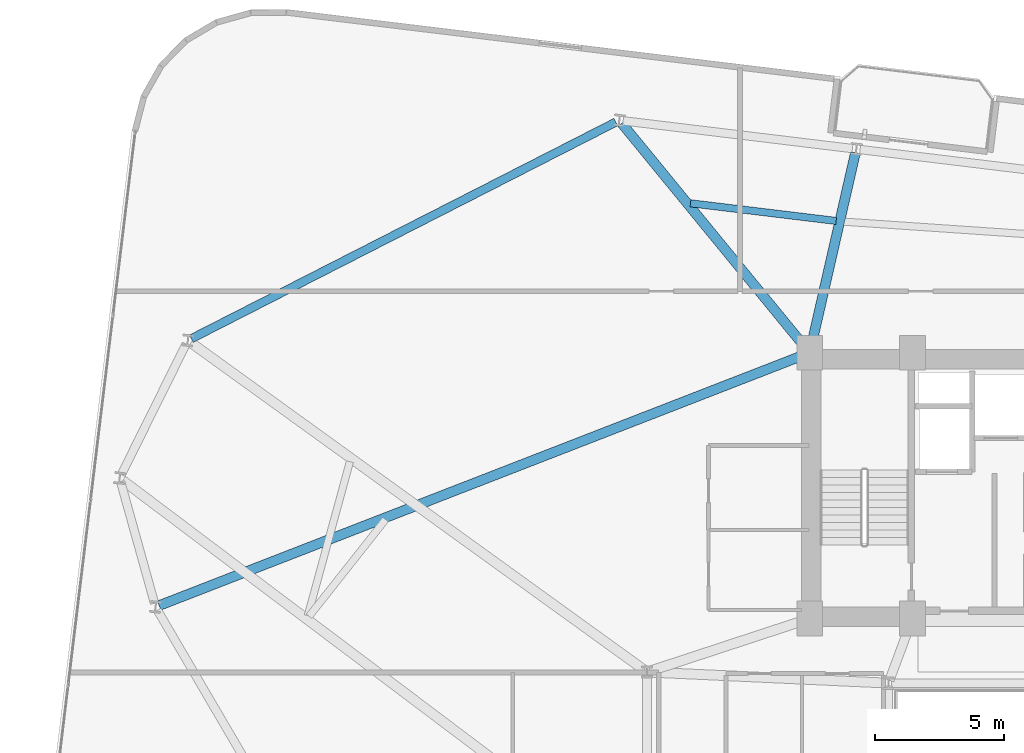
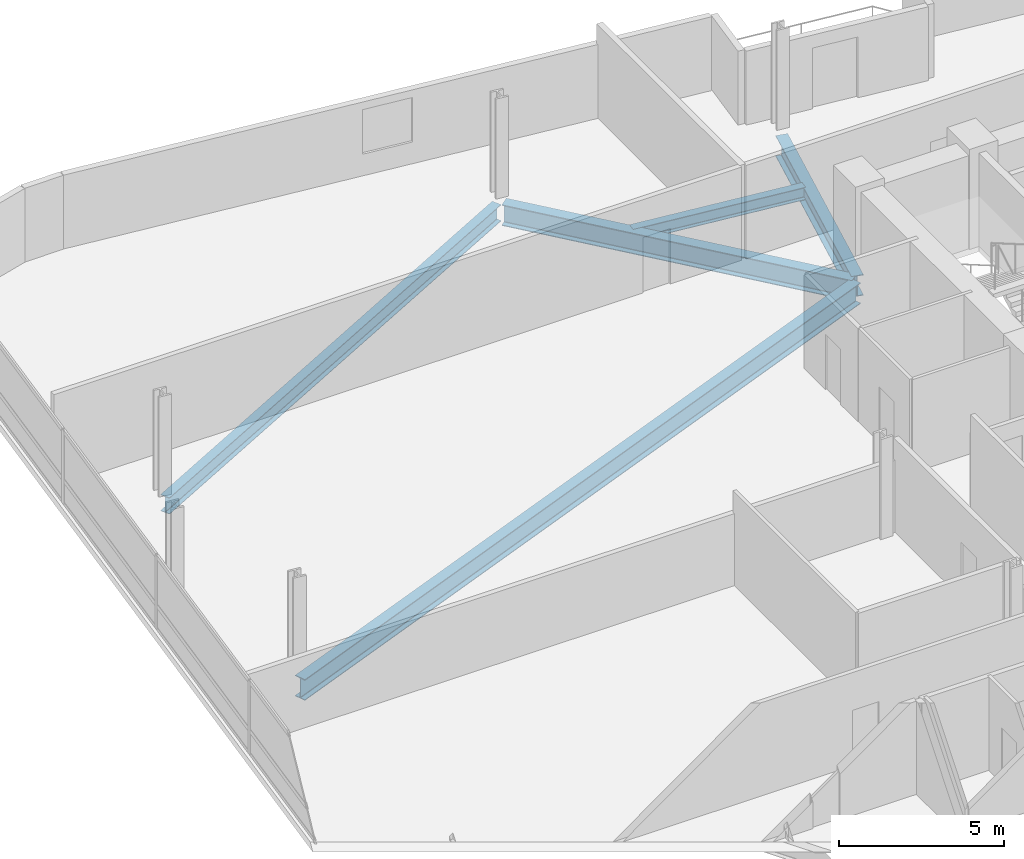
# One storey, part 11 of 25: 5 beams.
"""IFC4 building model written with IfcOpenShell, lengths in metres."""

from ifc_helpers import new_model, si_unit, direction, frame, origin, origin_2d, place, context, subcontext, project, spatial, i_section, extrude, material, material_profile, profile_set, type_object, element, save


model = new_model("IFC4")

# Units and contexts
model_context = context("Model", 3, precision=1e-05, world=origin(), true_north=direction((0.0, 1.0)))
body_context = subcontext(model_context, "Body", "Model", "MODEL_VIEW")
ifc_project = project(units=[si_unit("LENGTHUNIT", "METRE"), si_unit("AREAUNIT", "SQUARE_METRE"), si_unit("VOLUMEUNIT", "CUBIC_METRE"), si_unit("PLANEANGLEUNIT", "RADIAN"), si_unit("MASSUNIT", "GRAM", prefix="KILO")], contexts=[model_context])

# Site, building, storey
site_placement = place(None, origin())
site = spatial("IfcSite", under=ifc_project, at=site_placement, CompositionType="ELEMENT")
building_placement = place(site_placement, origin())
building = spatial("IfcBuilding", under=site, at=building_placement, Name="Varnelok Gate Tower", CompositionType="ELEMENT")
storey_placement = place(building_placement, frame((0.0, 0.0, 140.199951171875)))
storey = spatial("IfcBuildingStorey", under=building, at=storey_placement, Name="L35", CompositionType="ELEMENT", Elevation=140.199951171875)

# Beams
ifc_material = material(Name="Structural Steel ASTM A992 Grade 50", Category="steel")
ifc_material_profile_1 = material_profile(ifc_material, i_section(OverallWidth=0.280029296875, OverallDepth=0.462890625, WebThickness=0.0107421875, FlangeThickness=0.017333984375, FilletRadius=0.014892578125, at=origin_2d()), Name="W18X76")
ifc_profile_set_1 = profile_set([ifc_material_profile_1], Name="Structural Steel ASTM A992 Grade 50")
beam_type_1 = type_object("IfcBeamType", Name="BM-JST-W18X76", PredefinedType="JOIST", material=ifc_profile_set_1)
beam_1_placement = place(storey_placement, frame((31.725830078125, 44.15771484375, -0.4814453125), z_axis=(-0.992732072323, 0.12034547179, 0.0), x_axis=(-0.12034547179, -0.992732072323, 0.0)))
element("IfcBeam", 1, at=beam_1_placement, inside=storey, type_object=beam_type_1, Name="L35 Sector Floor Joist 10", PredefinedType="JOIST", context=body_context, shape_type="SweptSolid", body=[
    extrude(i_section(OverallWidth=0.280029296875, OverallDepth=0.462890625, WebThickness=0.0107421875, FlangeThickness=0.017333984375, FilletRadius=0.014892578125, at=origin_2d()), origin(), (0.0, 0.0, 1.0), 5.686279296875),
])
ifc_material_profile_2 = material_profile(ifc_material, i_section(OverallWidth=0.381103515625, OverallDepth=0.77294921875, WebThickness=0.0166015625, FlangeThickness=0.027099609375, FilletRadius=0.02197265625, at=origin_2d()), Name="W30X173")
ifc_profile_set_2 = profile_set([ifc_material_profile_2], Name="Structural Steel ASTM A992 Grade 50")
beam_type_2 = type_object("IfcBeamType", Name="BM-PRI-W30X173", PredefinedType="BEAM", material=ifc_profile_set_2)
beam_2_placement = place(storey_placement, frame((30.7333984375, 39.1962890625, -0.636474609375), z_axis=(0.223043307507, 0.974808536573, 0.0), x_axis=(-0.974808536573, 0.223043307507, 0.0)))
element("IfcBeam", 2, at=beam_2_placement, inside=storey, type_object=beam_type_2, Name="L35 Radial Floor Girder 12", PredefinedType="BEAM", context=body_context, shape_type="SweptSolid", body=[
    extrude(i_section(OverallWidth=0.381103515625, OverallDepth=0.77294921875, WebThickness=0.0166015625, FlangeThickness=0.027099609375, FilletRadius=0.02197265625, at=origin_2d()), origin(), (0.0, 0.0, 1.0), 7.796875),
])
beam_3_placement = place(storey_placement, frame((30.60498046875, 39.166015625, -0.636474609375), z_axis=(-0.633655000371, 0.773615757663, 0.0), x_axis=(-0.773615757663, -0.633655000371, 0.0)))
element("IfcBeam", 3, at=beam_3_placement, inside=storey, type_object=beam_type_2, Name="L35 Radial Floor Girder 13", PredefinedType="BEAM", context=body_context, shape_type="SweptSolid", body=[
    extrude(i_section(OverallWidth=0.381103515625, OverallDepth=0.77294921875, WebThickness=0.0166015625, FlangeThickness=0.027099609375, FilletRadius=0.02197265625, at=origin_2d()), origin(), (0.0, 0.0, 1.0), 11.341796875),
])
beam_4_placement = place(storey_placement, frame((30.560302734375, 38.99560546875, -0.636474609375), z_axis=(-0.93209869119, -0.362204403454, 0.0), x_axis=(0.362204403454, -0.93209869119, 0.0)))
element("IfcBeam", 4, at=beam_4_placement, inside=storey, type_object=beam_type_2, Name="L35 Radial Floor Girder 16", PredefinedType="BEAM", context=body_context, shape_type="SweptSolid", body=[
    extrude(i_section(OverallWidth=0.381103515625, OverallDepth=0.77294921875, WebThickness=0.0166015625, FlangeThickness=0.027099609375, FilletRadius=0.02197265625, at=origin_2d()), origin(), (0.0, 0.0, 1.0), 26.890869140625),
])
ifc_material_profile_3 = material_profile(ifc_material, i_section(OverallWidth=0.323974609375, OverallDepth=0.611083984375, WebThickness=0.0126953125, FlangeThickness=0.01904296875, FilletRadius=0.01806640625, at=origin_2d()), Name="W24X104")
ifc_profile_set_3 = profile_set([ifc_material_profile_3], Name="Structural Steel ASTM A992 Grade 50")
beam_type_3 = type_object("IfcBeamType", Name="BM-SPN-W24X104", PredefinedType="SPANDREL", material=ifc_profile_set_3)
beam_5_placement = place(storey_placement, frame((23.189697265625, 47.98779296875, -0.555419921875), z_axis=(-0.890729755615, -0.454533279819, 0.0), x_axis=(0.454533279819, -0.890729755615, 0.0)))
element("IfcBeam", 5, at=beam_5_placement, inside=storey, type_object=beam_type_3, Name="L35 Perimeter Spandrel Beam 13", PredefinedType="SPANDREL", context=body_context, shape_type="SweptSolid", body=[
    extrude(i_section(OverallWidth=0.323974609375, OverallDepth=0.611083984375, WebThickness=0.0126953125, FlangeThickness=0.01904296875, FilletRadius=0.01806640625, at=origin_2d()), origin(), (0.0, 0.0, 1.0), 18.466796875),
])

save(model, "model.ifc")
